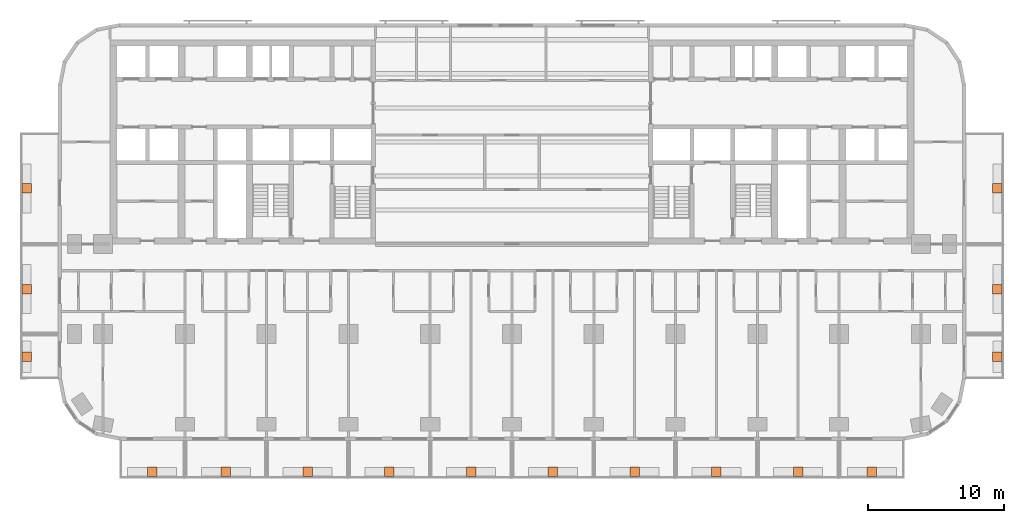
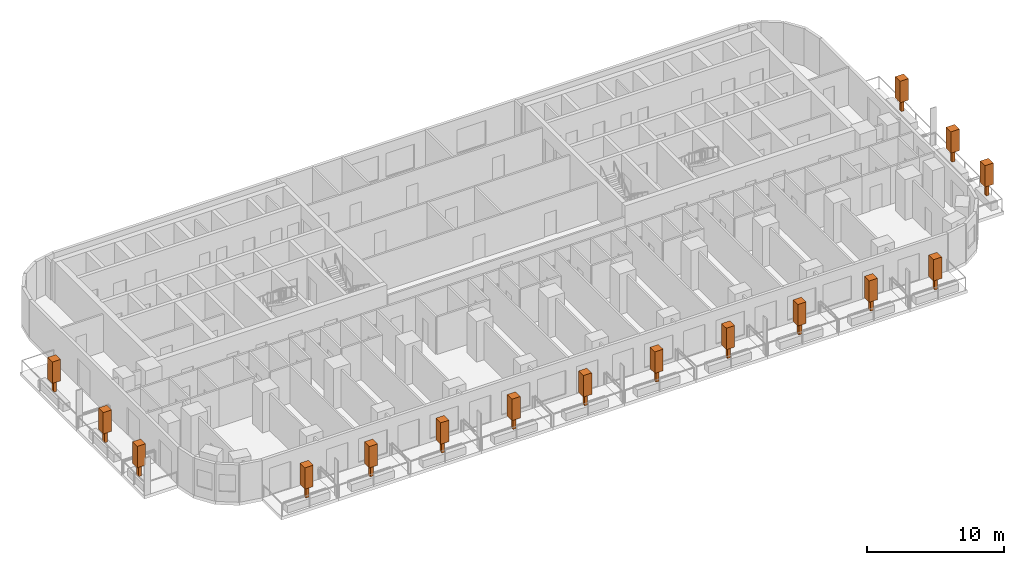
# One storey, part 15 of 15: 16 geographic elements.
"""IFC4 building model written with IfcOpenShell, lengths in metres."""

from ifc_helpers import new_model, si_unit, direction, frame, origin, origin_2d, place, context, subcontext, project, spatial, rectangle, extrude, material, element, save


model = new_model("IFC4")

# Units and contexts
model_context = context("Model", 3, precision=1e-05, world=origin(), true_north=direction((0.0, 1.0)))
body_context = subcontext(model_context, "Body", "Model", "MODEL_VIEW")
ifc_project = project(units=[si_unit("LENGTHUNIT", "METRE"), si_unit("AREAUNIT", "SQUARE_METRE"), si_unit("VOLUMEUNIT", "CUBIC_METRE"), si_unit("PLANEANGLEUNIT", "RADIAN"), si_unit("MASSUNIT", "GRAM", prefix="KILO")], contexts=[model_context])

# Site, building, storey
site_placement = place(None, origin())
site = spatial("IfcSite", under=ifc_project, at=site_placement, CompositionType="ELEMENT")
building_placement = place(site_placement, origin())
building = spatial("IfcBuilding", under=site, at=building_placement, Name="Torana Hotel and Residences", CompositionType="ELEMENT")
storey_placement = place(building_placement, frame((0.0, 0.0, 27.60009765625)))
storey = spatial("IfcBuildingStorey", under=building, at=storey_placement, Name="L05", CompositionType="ELEMENT", Elevation=27.60009765625)

# Geographic elements
ifc_material = material(Name="Foliage", Category="planting")
for number, where, z_axis, x_axis, name in (
    (1, (-26.39990234375, -31.699951171875, 0.64990234375), (0.0, 0.0, 1.0), (1.0, 0.0, 0.0), "Tree 01"),
    (2, (-21.0, -31.699951171875, 0.64990234375), (0.0, 0.0, 1.0), (1.0, 0.0, 0.0), "Tree 02"),
    (3, (-15.0, -31.699951171875, 0.64990234375), (0.0, 0.0, 1.0), (1.0, 0.0, 0.0), "Tree 03"),
    (4, (-9.0, -31.699951171875, 0.64990234375), (0.0, 0.0, 1.0), (1.0, 0.0, 0.0), "Tree 04"),
    (5, (-3.0, -31.699951171875, 0.64990234375), (0.0, 0.0, 1.0), (1.0, 0.0, 0.0), "Tree 05"),
    (6, (3.0, -31.699951171875, 0.64990234375), (0.0, 0.0, 1.0), (1.0, 0.0, 0.0), "Tree 06"),
    (7, (9.0, -31.699951171875, 0.64990234375), (0.0, 0.0, 1.0), (1.0, 0.0, 0.0), "Tree 07"),
    (8, (15.0, -31.699951171875, 0.64990234375), (0.0, 0.0, 1.0), (1.0, 0.0, 0.0), "Tree 08"),
    (9, (21.0, -31.699951171875, 0.64990234375), (0.0, 0.0, 1.0), (1.0, 0.0, 0.0), "Tree 09"),
    (10, (26.39990234375, -31.699951171875, 0.64990234375), (0.0, 0.0, 1.0), (1.0, 0.0, 0.0), "Tree 10"),
    (11, (-35.60009765625, -23.25, 0.64990234375), (0.0, 0.0, 1.0), (1.0, 0.0, 0.0), "Tree 11"),
    (12, (-35.60009765625, -18.300048828125, 0.64990234375), (0.0, 0.0, 1.0), (1.0, 0.0, 0.0), "Tree 12"),
    (13, (-35.60009765625, -10.89990234375, 0.64990234375), (0.0, 0.0, 1.0), (1.0, 0.0, 0.0), "Tree 13"),
    (14, (35.60009765625, -23.25, 0.64990234375), (0.0, 0.0, 1.0), (1.0, 0.0, 0.0), "Tree 14"),
    (15, (35.60009765625, -18.300048828125, 0.64990234375), (0.0, 0.0, 1.0), (1.0, 0.0, 0.0), "Tree 15"),
    (16, (35.60009765625, -10.89990234375, 0.64990234375), (0.0, 0.0, 1.0), (1.0, 0.0, 0.0), "Tree 16"),
):
    element("IfcGeographicElement", number, at=place(storey_placement, frame(where, z_axis=z_axis, x_axis=x_axis)), inside=storey, material=ifc_material, Name=name, ObjectType="TREE", PredefinedType="USERDEFINED", context=body_context, shape_type="SweptSolid", body=[
        extrude(rectangle(XDim=0.25, YDim=0.25, at=origin_2d()), origin(), (0.0, 0.0, 1.0), 1.0),
        extrude(rectangle(XDim=0.699951171875, YDim=0.699951171875, at=origin_2d()), frame((0.0, 0.0, 1.0)), (0.0, 0.0, 1.0), 1.89990234375),
    ])

save(model, "model.ifc")
